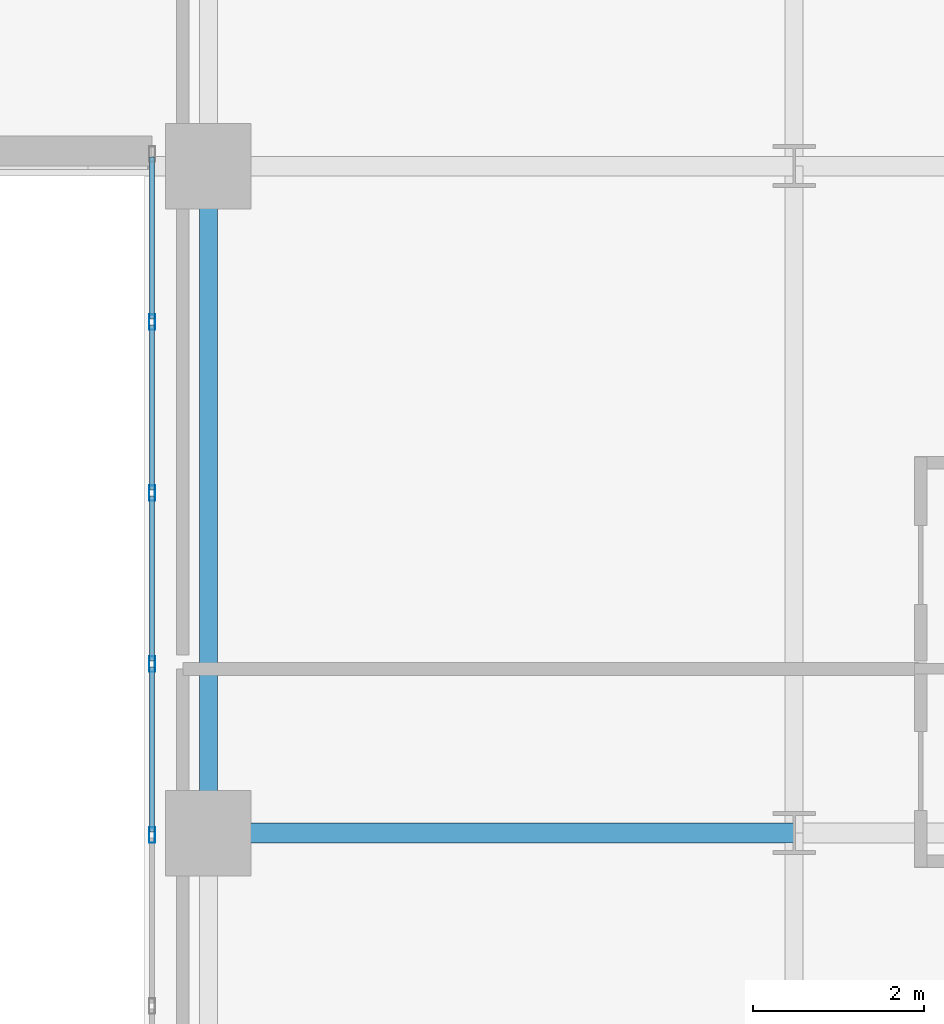
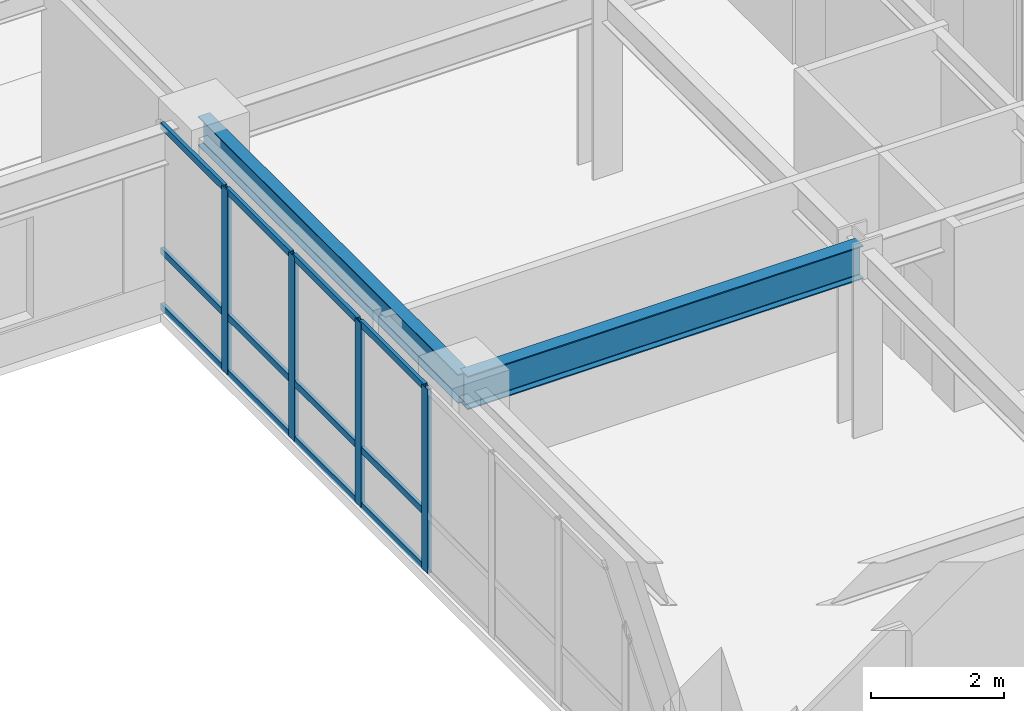
# One storey, part 9 of 25: 16 members, 2 beams, 1 element without a shape of its own.
"""IFC4 building model written with IfcOpenShell, lengths in metres."""

from ifc_helpers import new_model, si_unit, direction, frame, origin, origin_2d, place, context, subcontext, project, spatial, hollow_rectangle, i_section, extrude, source, transform, mapped, material, layer, layer_set, material_profile, profile_set, type_object, type_shapes, element, aggregate, save


model = new_model("IFC4")

# Units and contexts
model_context = context("Model", 3, precision=1e-05, world=origin(), true_north=direction((0.0, 1.0)))
body_context = subcontext(model_context, "Body", "Model", "MODEL_VIEW")
ifc_project = project(units=[si_unit("LENGTHUNIT", "METRE"), si_unit("AREAUNIT", "SQUARE_METRE"), si_unit("VOLUMEUNIT", "CUBIC_METRE"), si_unit("PLANEANGLEUNIT", "RADIAN"), si_unit("MASSUNIT", "GRAM", prefix="KILO")], contexts=[model_context])

# Site, building, storey
site_placement = place(None, origin())
site = spatial("IfcSite", under=ifc_project, at=site_placement, CompositionType="ELEMENT")
building_placement = place(site_placement, origin())
building = spatial("IfcBuilding", under=site, at=building_placement, Name="Tolvann Quenvar Hotel", CompositionType="ELEMENT")
storey_placement = place(building_placement, frame((0.0, 0.0, 60.39990234375)))
storey = spatial("IfcBuildingStorey", under=building, at=storey_placement, Name="L14", CompositionType="ELEMENT", Elevation=60.39990234375)

# Beams
ifc_material_1 = material(Name="Steel Grade 350", Category="steel")
ifc_material_profile_1 = material_profile(ifc_material_1, i_section(OverallWidth=0.22900390625, OverallDepth=0.612060546875, WebThickness=0.011962890625, FlangeThickness=0.01953125, FilletRadius=0.013916015625, at=origin_2d()), Name="610UB125")
ifc_profile_set_1 = profile_set([ifc_material_profile_1], Name="Steel Grade 350")
beam_type_1 = type_object("IfcBeamType", Name="BM_GIRD_610UB125", PredefinedType="BEAM", material=ifc_profile_set_1)
shared_shape_1 = source(origin(), body_context, "Body", "SweptSolid", [
    extrude(i_section(OverallWidth=0.22900390625, OverallDepth=0.612060546875, WebThickness=0.011962890625, FlangeThickness=0.01953125, FilletRadius=0.013916015625, at=origin_2d()), origin(), (0.0, 0.0, 1.0), 6.85009765625),
])
type_shapes(beam_type_1, [shared_shape_1])
beam_1_placement = place(storey_placement, frame((34.949951171875, 8.199951171875, 3.064208984375), z_axis=(1.0, 0.0, 0.0), x_axis=(0.0, 1.0, 0.0)))
element("IfcBeam", 1, at=beam_1_placement, inside=storey, type_object=beam_type_1, Name="BM-L14-EW-3-F3-H3", PredefinedType="BEAM", context=body_context, shape_type="MappedRepresentation", body=[
    mapped(shared_shape_1, transform((0.0, 0.0, 0.0), x_axis=(1.0, 0.0, 0.0), y_axis=(0.0, 1.0, 0.0), z_axis=(0.0, 0.0, 1.0), scale=1.0)),
])
ifc_material_profile_2 = material_profile(ifc_material_1, i_section(OverallWidth=0.208984375, OverallDepth=0.532958984375, WebThickness=0.01025390625, FlangeThickness=0.015625, FilletRadius=0.013916015625, at=origin_2d()), Name="530UB92")
ifc_profile_set_2 = profile_set([ifc_material_profile_2], Name="Steel Grade 350")
beam_type_2 = type_object("IfcBeamType", Name="BM_GIRD_530UB92", PredefinedType="BEAM", material=ifc_profile_set_2)
shared_shape_2 = source(origin(), body_context, "Body", "SweptSolid", [
    extrude(i_section(OverallWidth=0.208984375, OverallDepth=0.532958984375, WebThickness=0.01025390625, FlangeThickness=0.015625, FilletRadius=0.013916015625, at=origin_2d()), origin(), (0.0, 0.0, 1.0), 7.800048828125),
])
type_shapes(beam_type_2, [shared_shape_2])
beam_2_placement = place(storey_placement, frame((34.949951171875, 8.199951171875, 3.103515625), z_axis=(0.0, 1.0, 0.0), x_axis=(-1.0, 0.0, 0.0)))
element("IfcBeam", 2, at=beam_2_placement, inside=storey, type_object=beam_type_2, Name="BM-L14-NS-F3-F4", PredefinedType="BEAM", context=body_context, shape_type="MappedRepresentation", body=[
    mapped(shared_shape_2, transform((0.0, 0.0, 0.0), x_axis=(1.0, 0.0, 0.0), y_axis=(0.0, 1.0, 0.0), z_axis=(0.0, 0.0, 1.0), scale=1.0)),
])

# Curtain wall, members
ifc_material_2 = material(Name="Thermally broken anodised architectural aluminium 6063-T6 and laminated low-E glass", Category="aluminium")
ifc_layer = layer(ifc_material_2, 0.179931640625)
ifc_layer_set = layer_set([ifc_layer], Name="Thermally broken anodised architectural aluminium 6063-T6 and laminated low-E glass")
curtain_wall_type = type_object("IfcCurtainWallType", Name="CW_SYS_SLOT_03", PredefinedType="USERDEFINED", material=ifc_layer_set)
curtain_wall_placement = place(storey_placement, origin())
curtain_wall = element("IfcCurtainWall", 3, at=curtain_wall_placement, inside=storey, type_object=curtain_wall_type, Name="Curtain Wall CW-SLOT-03 (CWR-L14-E07)", ObjectType="UNITISED CURTAIN WALL", PredefinedType="USERDEFINED")
ifc_material_3 = material(Name="Anodised architectural aluminium 6063-T6 framing", Category="aluminium")
ifc_material_profile_3 = material_profile(ifc_material_3, hollow_rectangle(XDim=0.070068359375, YDim=0.179931640625, WallThickness=0.00390625, at=origin_2d()), Name="180x70x4RHS")
ifc_profile_set_3 = profile_set([ifc_material_profile_3], Name="Anodised architectural aluminium 6063-T6 framing")
member_type_1 = type_object("IfcMemberType", Name="CW_MULL_180x70", PredefinedType="MULLION", material=ifc_profile_set_3)
shared_shape_3 = source(origin(), body_context, "Body", "SweptSolid", [
    extrude(hollow_rectangle(XDim=0.070068359375, YDim=0.179931640625, WallThickness=0.00390625, at=origin_2d()), origin(), (0.0, 0.0, 1.0), 3.3701171875),
])
type_shapes(member_type_1, [shared_shape_3])
member_1_placement = place(storey_placement, frame((34.2900390625, 14.175048828125, 0.0), z_axis=(0.0, 0.0, 1.0), x_axis=(1.0, 0.0, 0.0)))
member_1 = element("IfcMember", 4, at=member_1_placement, type_object=member_type_1, Name="CW-SLOT-03 mullion 2", PredefinedType="MULLION", context=body_context, shape_type="MappedRepresentation", body=[
    mapped(shared_shape_3, transform((0.0, 0.0, 0.0), x_axis=(1.0, 0.0, 0.0), y_axis=(0.0, 1.0, 0.0), z_axis=(0.0, 0.0, 1.0), scale=1.0)),
])
member_2_placement = place(storey_placement, frame((34.2900390625, 12.175048828125, 0.0), z_axis=(0.0, 0.0, 1.0), x_axis=(1.0, 0.0, 0.0)))
member_2 = element("IfcMember", 5, at=member_2_placement, type_object=member_type_1, Name="CW-SLOT-03 mullion 3", PredefinedType="MULLION", context=body_context, shape_type="MappedRepresentation", body=[
    mapped(shared_shape_3, transform((0.0, 0.0, 0.0), x_axis=(1.0, 0.0, 0.0), y_axis=(0.0, 1.0, 0.0), z_axis=(0.0, 0.0, 1.0), scale=1.0)),
])
member_3_placement = place(storey_placement, frame((34.2900390625, 10.175048828125, 0.0), z_axis=(0.0, 0.0, 1.0), x_axis=(1.0, 0.0, 0.0)))
member_3 = element("IfcMember", 6, at=member_3_placement, type_object=member_type_1, Name="CW-SLOT-03 mullion 4", PredefinedType="MULLION", context=body_context, shape_type="MappedRepresentation", body=[
    mapped(shared_shape_3, transform((0.0, 0.0, 0.0), x_axis=(1.0, 0.0, 0.0), y_axis=(0.0, 1.0, 0.0), z_axis=(0.0, 0.0, 1.0), scale=1.0)),
])
member_4_placement = place(storey_placement, frame((34.2900390625, 8.175048828125, 0.0), z_axis=(0.0, 0.0, 1.0), x_axis=(1.0, 0.0, 0.0)))
member_4 = element("IfcMember", 7, at=member_4_placement, type_object=member_type_1, Name="CW-SLOT-03 mullion 5", PredefinedType="MULLION", context=body_context, shape_type="MappedRepresentation", body=[
    mapped(shared_shape_3, transform((0.0, 0.0, 0.0), x_axis=(1.0, 0.0, 0.0), y_axis=(0.0, 1.0, 0.0), z_axis=(0.0, 0.0, 1.0), scale=1.0)),
])
ifc_material_profile_4 = material_profile(ifc_material_3, hollow_rectangle(XDim=0.06005859375, YDim=0.1201171875, WallThickness=0.00341796875, at=origin_2d()), Name="120x60x3.5RHS")
ifc_profile_set_4 = profile_set([ifc_material_profile_4], Name="Anodised architectural aluminium 6063-T6 framing")
member_type_2 = type_object("IfcMemberType", Name="CW_TRAN_120x60", PredefinedType="USERDEFINED", material=ifc_profile_set_4)
shared_shape_4 = source(origin(), body_context, "Body", "SweptSolid", [
    extrude(hollow_rectangle(XDim=0.06005859375, YDim=0.1201171875, WallThickness=0.00341796875, at=origin_2d()), origin(), (0.0, 0.0, 1.0), 1.929931640625),
])
member_5_placement = place(storey_placement, frame((34.2900390625, 14.139892578125, 0.030029296875), z_axis=(0.0, -1.0, 0.0), x_axis=(1.0, 0.0, 0.0)))
member_5 = element("IfcMember", 8, at=member_5_placement, type_object=member_type_2, Name="CW-SLOT-03 transom 2.1", ObjectType="TRANSOM", PredefinedType="USERDEFINED", context=body_context, shape_type="MappedRepresentation", body=[
    mapped(shared_shape_4, transform((0.0, 0.0, 0.0), x_axis=(1.0, 0.0, 0.0), y_axis=(0.0, 1.0, 0.0), z_axis=(0.0, 0.0, 1.0), scale=1.0)),
])
member_6_placement = place(storey_placement, frame((34.2900390625, 14.139892578125, 1.050048828125), z_axis=(0.0, -1.0, 0.0), x_axis=(1.0, 0.0, 0.0)))
member_6 = element("IfcMember", 9, at=member_6_placement, type_object=member_type_2, Name="CW-SLOT-03 transom 2.2", ObjectType="TRANSOM", PredefinedType="USERDEFINED", context=body_context, shape_type="MappedRepresentation", body=[
    mapped(shared_shape_4, transform((0.0, 0.0, 0.0), x_axis=(1.0, 0.0, 0.0), y_axis=(0.0, 1.0, 0.0), z_axis=(0.0, 0.0, 1.0), scale=1.0)),
])
member_7_placement = place(storey_placement, frame((34.2900390625, 14.139892578125, 3.340087890625), z_axis=(0.0, -1.0, 0.0), x_axis=(1.0, 0.0, 0.0)))
member_7 = element("IfcMember", 10, at=member_7_placement, type_object=member_type_2, Name="CW-SLOT-03 transom 2.3", ObjectType="TRANSOM", PredefinedType="USERDEFINED", context=body_context, shape_type="MappedRepresentation", body=[
    mapped(shared_shape_4, transform((0.0, 0.0, 0.0), x_axis=(1.0, 0.0, 0.0), y_axis=(0.0, 1.0, 0.0), z_axis=(0.0, 0.0, 1.0), scale=1.0)),
])
member_8_placement = place(storey_placement, frame((34.2900390625, 12.139892578125, 0.030029296875), z_axis=(0.0, -1.0, 0.0), x_axis=(1.0, 0.0, 0.0)))
member_8 = element("IfcMember", 11, at=member_8_placement, type_object=member_type_2, Name="CW-SLOT-03 transom 3.1", ObjectType="TRANSOM", PredefinedType="USERDEFINED", context=body_context, shape_type="MappedRepresentation", body=[
    mapped(shared_shape_4, transform((0.0, 0.0, 0.0), x_axis=(1.0, 0.0, 0.0), y_axis=(0.0, 1.0, 0.0), z_axis=(0.0, 0.0, 1.0), scale=1.0)),
])
member_9_placement = place(storey_placement, frame((34.2900390625, 12.139892578125, 1.050048828125), z_axis=(0.0, -1.0, 0.0), x_axis=(1.0, 0.0, 0.0)))
member_9 = element("IfcMember", 12, at=member_9_placement, type_object=member_type_2, Name="CW-SLOT-03 transom 3.2", ObjectType="TRANSOM", PredefinedType="USERDEFINED", context=body_context, shape_type="MappedRepresentation", body=[
    mapped(shared_shape_4, transform((0.0, 0.0, 0.0), x_axis=(1.0, 0.0, 0.0), y_axis=(0.0, 1.0, 0.0), z_axis=(0.0, 0.0, 1.0), scale=1.0)),
])
member_10_placement = place(storey_placement, frame((34.2900390625, 12.139892578125, 3.340087890625), z_axis=(0.0, -1.0, 0.0), x_axis=(1.0, 0.0, 0.0)))
member_10 = element("IfcMember", 13, at=member_10_placement, type_object=member_type_2, Name="CW-SLOT-03 transom 3.3", ObjectType="TRANSOM", PredefinedType="USERDEFINED", context=body_context, shape_type="MappedRepresentation", body=[
    mapped(shared_shape_4, transform((0.0, 0.0, 0.0), x_axis=(1.0, 0.0, 0.0), y_axis=(0.0, 1.0, 0.0), z_axis=(0.0, 0.0, 1.0), scale=1.0)),
])
member_11_placement = place(storey_placement, frame((34.2900390625, 10.139892578125, 0.030029296875), z_axis=(0.0, -1.0, 0.0), x_axis=(1.0, 0.0, 0.0)))
member_11 = element("IfcMember", 14, at=member_11_placement, type_object=member_type_2, Name="CW-SLOT-03 transom 4.1", ObjectType="TRANSOM", PredefinedType="USERDEFINED", context=body_context, shape_type="MappedRepresentation", body=[
    mapped(shared_shape_4, transform((0.0, 0.0, 0.0), x_axis=(1.0, 0.0, 0.0), y_axis=(0.0, 1.0, 0.0), z_axis=(0.0, 0.0, 1.0), scale=1.0)),
])
member_12_placement = place(storey_placement, frame((34.2900390625, 10.139892578125, 1.050048828125), z_axis=(0.0, -1.0, 0.0), x_axis=(1.0, 0.0, 0.0)))
member_12 = element("IfcMember", 15, at=member_12_placement, type_object=member_type_2, Name="CW-SLOT-03 transom 4.2", ObjectType="TRANSOM", PredefinedType="USERDEFINED", context=body_context, shape_type="MappedRepresentation", body=[
    mapped(shared_shape_4, transform((0.0, 0.0, 0.0), x_axis=(1.0, 0.0, 0.0), y_axis=(0.0, 1.0, 0.0), z_axis=(0.0, 0.0, 1.0), scale=1.0)),
])
member_13_placement = place(storey_placement, frame((34.2900390625, 10.139892578125, 3.340087890625), z_axis=(0.0, -1.0, 0.0), x_axis=(1.0, 0.0, 0.0)))
member_13 = element("IfcMember", 16, at=member_13_placement, type_object=member_type_2, Name="CW-SLOT-03 transom 4.3", ObjectType="TRANSOM", PredefinedType="USERDEFINED", context=body_context, shape_type="MappedRepresentation", body=[
    mapped(shared_shape_4, transform((0.0, 0.0, 0.0), x_axis=(1.0, 0.0, 0.0), y_axis=(0.0, 1.0, 0.0), z_axis=(0.0, 0.0, 1.0), scale=1.0)),
])
shared_shape_5 = source(origin(), body_context, "Body", "SweptSolid", [
    extrude(hollow_rectangle(XDim=0.06005859375, YDim=0.1201171875, WallThickness=0.00341796875, at=origin_2d()), origin(), (0.0, 0.0, 1.0), 1.89501953125),
])
type_shapes(member_type_2, [shared_shape_4, shared_shape_5])
member_14_placement = place(storey_placement, frame((34.2900390625, 16.10498046875, 0.030029296875), z_axis=(0.0, -1.0, 0.0), x_axis=(1.0, 0.0, 0.0)))
member_14 = element("IfcMember", 17, at=member_14_placement, type_object=member_type_2, Name="CW-SLOT-03 transom 1.1", ObjectType="TRANSOM", PredefinedType="USERDEFINED", context=body_context, shape_type="MappedRepresentation", body=[
    mapped(shared_shape_5, transform((0.0, 0.0, 0.0), x_axis=(1.0, 0.0, 0.0), y_axis=(0.0, 1.0, 0.0), z_axis=(0.0, 0.0, 1.0), scale=1.0)),
])
member_15_placement = place(storey_placement, frame((34.2900390625, 16.10498046875, 1.050048828125), z_axis=(0.0, -1.0, 0.0), x_axis=(1.0, 0.0, 0.0)))
member_15 = element("IfcMember", 18, at=member_15_placement, type_object=member_type_2, Name="CW-SLOT-03 transom 1.2", ObjectType="TRANSOM", PredefinedType="USERDEFINED", context=body_context, shape_type="MappedRepresentation", body=[
    mapped(shared_shape_5, transform((0.0, 0.0, 0.0), x_axis=(1.0, 0.0, 0.0), y_axis=(0.0, 1.0, 0.0), z_axis=(0.0, 0.0, 1.0), scale=1.0)),
])
member_16_placement = place(storey_placement, frame((34.2900390625, 16.10498046875, 3.340087890625), z_axis=(0.0, -1.0, 0.0), x_axis=(1.0, 0.0, 0.0)))
member_16 = element("IfcMember", 19, at=member_16_placement, type_object=member_type_2, Name="CW-SLOT-03 transom 1.3", ObjectType="TRANSOM", PredefinedType="USERDEFINED", context=body_context, shape_type="MappedRepresentation", body=[
    mapped(shared_shape_5, transform((0.0, 0.0, 0.0), x_axis=(1.0, 0.0, 0.0), y_axis=(0.0, 1.0, 0.0), z_axis=(0.0, 0.0, 1.0), scale=1.0)),
])
aggregate(curtain_wall, [member_1, member_2, member_3, member_4, member_14, member_15, member_16, member_5, member_6, member_7, member_8, member_9, member_10, member_11, member_12, member_13])

save(model, "model.ifc")
